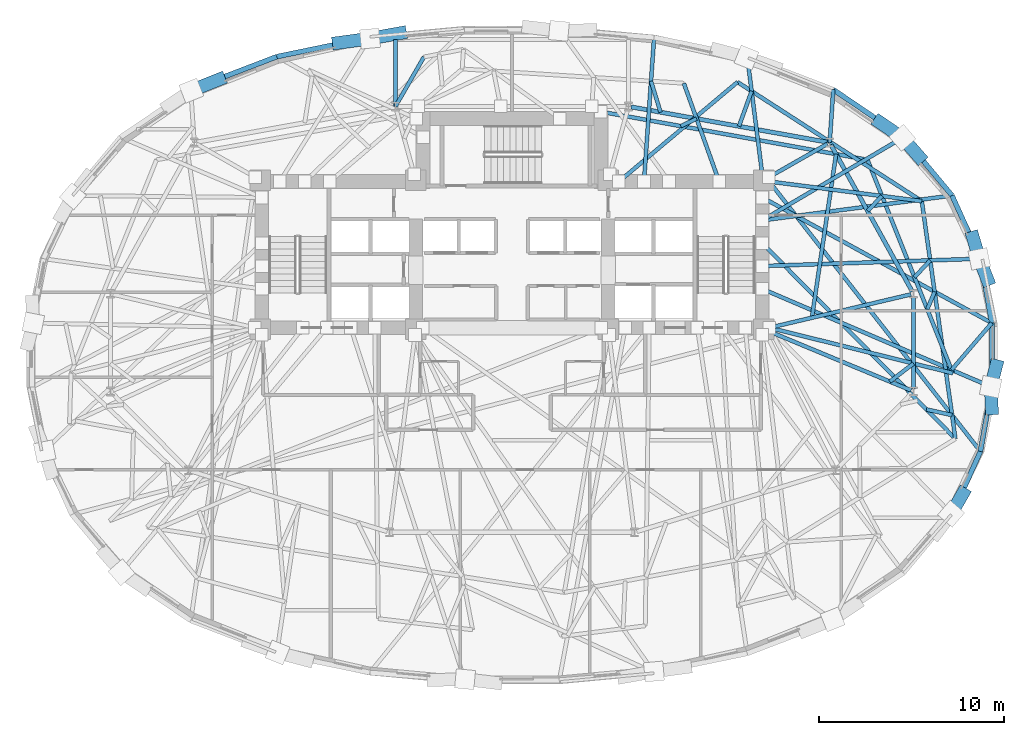
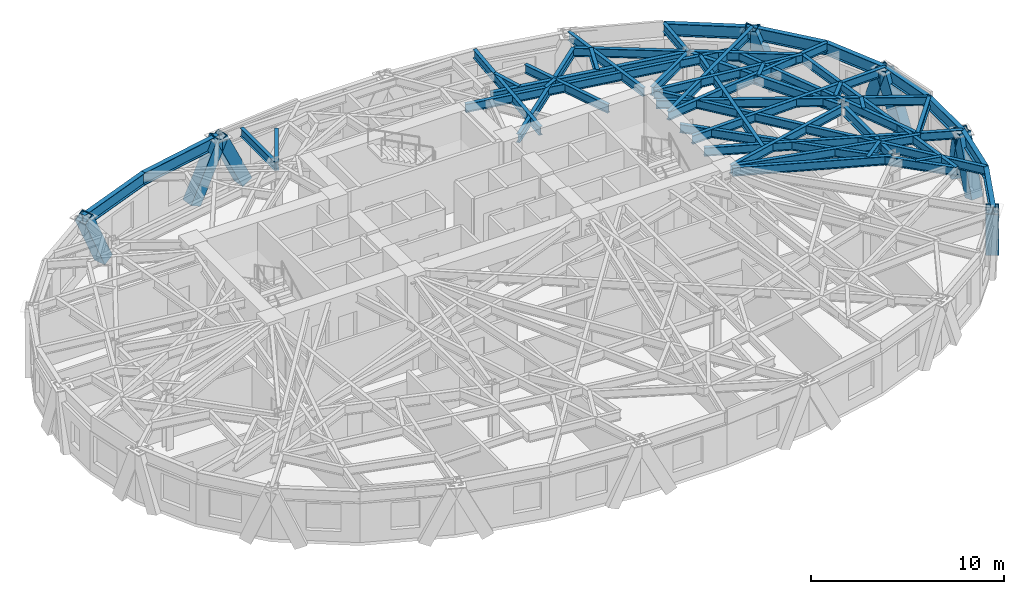
# One storey, part 4 of 14: 45 beams, 10 members.
"""IFC4 building model written with IfcOpenShell, lengths in metres."""

from ifc_helpers import new_model, si_unit, direction, frame, origin, origin_2d, place, context, subcontext, project, spatial, hollow_rectangle, i_section, extrude, material, material_profile, profile_set, type_object, element, save


model = new_model("IFC4")

# Units and contexts
model_context = context("Model", 3, precision=1e-05, world=origin(), true_north=direction((0.0, 1.0)))
body_context = subcontext(model_context, "Body", "Model", "MODEL_VIEW")
ifc_project = project(units=[si_unit("LENGTHUNIT", "METRE"), si_unit("AREAUNIT", "SQUARE_METRE"), si_unit("VOLUMEUNIT", "CUBIC_METRE"), si_unit("PLANEANGLEUNIT", "RADIAN"), si_unit("MASSUNIT", "GRAM", prefix="KILO")], contexts=[model_context])

# Site, building, storey
site_placement = place(None, origin())
site = spatial("IfcSite", under=ifc_project, at=site_placement, CompositionType="ELEMENT")
building_placement = place(site_placement, origin())
building = spatial("IfcBuilding", under=site, at=building_placement, Name="Keldmark Tower", CompositionType="ELEMENT")
storey_placement = place(building_placement, frame((0.0, 0.0, 121.10009765625)))
storey = spatial("IfcBuildingStorey", under=building, at=storey_placement, Name="L32", CompositionType="ELEMENT", Elevation=121.10009765625)

# Members
ifc_material_1 = material(Name="Steel ASTM A572 Grade 50", Category="steel")
ifc_material_profile_1 = material_profile(ifc_material_1, hollow_rectangle(XDim=0.699951171875, YDim=0.699951171875, WallThickness=0.044921875, at=origin_2d()), Name="BOX700X700X45")
ifc_profile_set_1 = profile_set([ifc_material_profile_1], Name="Steel ASTM A572 Grade 50")
member_type = type_object("IfcMemberType", Name="Diagrid Zone 2 Brace BOX700X700X45", PredefinedType="BRACE", material=ifc_profile_set_1)
member_1_placement = place(storey_placement, frame((25.69091796875, 4.075927734375, -0.27001953125), z_axis=(-0.119528292581, 0.30681593497, 0.944233535372), x_axis=(-0.931788058352, -0.363002774524, 0.0)))
element("IfcMember", 1, at=member_1_placement, inside=storey, type_object=member_type, Name="L32 Perimeter Diagrid Brace 01A", PredefinedType="BRACE", context=body_context, shape_type="SweptSolid", body=[
    extrude(hollow_rectangle(XDim=0.699951171875, YDim=0.699951171875, WallThickness=0.044921875, at=origin_2d()), origin(), (0.0, 0.0, 1.0), 3.664306640625),
])
member_2_placement = place(storey_placement, frame((24.9072265625, 6.363525390625, -0.27001953125), z_axis=(0.094848889854, -0.320065117797, 0.942635671117), x_axis=(0.958786051377, 0.284129033513, 0.0)))
element("IfcMember", 2, at=member_2_placement, inside=storey, type_object=member_type, Name="L32 Perimeter Diagrid Brace 01B", PredefinedType="BRACE", context=body_context, shape_type="SweptSolid", body=[
    extrude(hollow_rectangle(XDim=0.699951171875, YDim=0.699951171875, WallThickness=0.044921875, at=origin_2d()), origin(), (0.0, 0.0, 1.0), 3.67041015625),
])
member_3_placement = place(storey_placement, frame((22.008544921875, 10.703369140625, -0.27001953125), z_axis=(-0.243824631969, 0.278759720366, 0.928893194693), x_axis=(-0.752697279292, -0.658366771448, 0.0)))
element("IfcMember", 3, at=member_3_placement, inside=storey, type_object=member_type, Name="L32 Perimeter Diagrid Brace 02A", PredefinedType="BRACE", context=body_context, shape_type="SweptSolid", body=[
    extrude(hollow_rectangle(XDim=0.699951171875, YDim=0.699951171875, WallThickness=0.044921875, at=origin_2d()), origin(), (0.0, 0.0, 1.0), 3.724853515625),
])
member_4_placement = place(storey_placement, frame((19.84814453125, 12.592529296875, -0.27001953125), z_axis=(0.332918575116, -0.227606279536, 0.915074097469), x_axis=(0.564379672586, 0.825515345207, 0.0)))
element("IfcMember", 4, at=member_4_placement, inside=storey, type_object=member_type, Name="L32 Perimeter Diagrid Brace 02B", PredefinedType="BRACE", context=body_context, shape_type="SweptSolid", body=[
    extrude(hollow_rectangle(XDim=0.699951171875, YDim=0.699951171875, WallThickness=0.044921875, at=origin_2d()), origin(), (0.0, 0.0, 1.0), 3.781005859375),
])
member_5_placement = place(storey_placement, frame((-6.014892578125, 17.398681640625, -0.27001953125), z_axis=(-0.430797777075, -0.077023343353, 0.899155537071), x_axis=(0.176001378924, -0.98438992001, 0.0)))
element("IfcMember", 5, at=member_5_placement, inside=storey, type_object=member_type, Name="L32 Perimeter Diagrid Brace 05A", PredefinedType="BRACE", context=body_context, shape_type="SweptSolid", body=[
    extrude(hollow_rectangle(XDim=0.699951171875, YDim=0.699951171875, WallThickness=0.044921875, at=origin_2d()), origin(), (0.0, 0.0, 1.0), 3.847900390625),
])
member_6_placement = place(storey_placement, frame((-9.39453125, 16.8681640625, -0.27001953125), z_axis=(0.447087134111, 0.060954978284, 0.892411107693), x_axis=(-0.135088294439, 0.990833564584, 0.0)))
element("IfcMember", 6, at=member_6_placement, inside=storey, type_object=member_type, Name="L32 Perimeter Diagrid Brace 05B", PredefinedType="BRACE", context=body_context, shape_type="SweptSolid", body=[
    extrude(hollow_rectangle(XDim=0.699951171875, YDim=0.699951171875, WallThickness=0.044921875, at=origin_2d()), origin(), (0.0, 0.0, 1.0), 3.877197265625),
])
member_7_placement = place(storey_placement, frame((-15.800537109375, 14.904296875, -0.27001953125), z_axis=(-0.399454820791, -0.160495240496, 0.90259466203), x_axis=(0.372818660827, -0.927904222503, 0.0)))
element("IfcMember", 7, at=member_7_placement, inside=storey, type_object=member_type, Name="L32 Perimeter Diagrid Brace 06A", PredefinedType="BRACE", context=body_context, shape_type="SweptSolid", body=[
    extrude(hollow_rectangle(XDim=0.699951171875, YDim=0.699951171875, WallThickness=0.044921875, at=origin_2d()), origin(), (0.0, 0.0, 1.0), 3.833251953125),
])
member_8_placement = place(storey_placement, frame((24.362060546875, -7.486572265625, -0.27001953125), z_axis=(-0.172250116785, -0.299136400429, 0.938534661697), x_axis=(0.866597316493, -0.499008107195, 0.0)))
element("IfcMember", 8, at=member_8_placement, inside=storey, type_object=member_type, Name="L32 Perimeter Diagrid Brace 15B", PredefinedType="BRACE", context=body_context, shape_type="SweptSolid", body=[
    extrude(hollow_rectangle(XDim=0.699951171875, YDim=0.699951171875, WallThickness=0.044921875, at=origin_2d()), origin(), (0.0, 0.0, 1.0), 3.6865234375),
])
member_9_placement = place(storey_placement, frame((25.9296875, -2.899169921875, -0.27001953125), z_axis=(-0.016952892243, 0.324040519048, 0.945891294737), x_axis=(-0.998634258336, -0.052245746986, 0.0)))
element("IfcMember", 9, at=member_9_placement, inside=storey, type_object=member_type, Name="L32 Perimeter Diagrid Brace 16A", PredefinedType="BRACE", context=body_context, shape_type="SweptSolid", body=[
    extrude(hollow_rectangle(XDim=0.699951171875, YDim=0.699951171875, WallThickness=0.044921875, at=origin_2d()), origin(), (0.0, 0.0, 1.0), 3.657958984375),
])
member_10_placement = place(storey_placement, frame((26.163818359375, -0.577880859375, -0.27001953125), z_axis=(-0.081570259972, -0.313731769122, 0.946001411062), x_axis=(0.967822506788, -0.251633851765, 0.0)))
element("IfcMember", 10, at=member_10_placement, inside=storey, type_object=member_type, Name="L32 Perimeter Diagrid Brace 16B", PredefinedType="BRACE", context=body_context, shape_type="SweptSolid", body=[
    extrude(hollow_rectangle(XDim=0.699951171875, YDim=0.699951171875, WallThickness=0.044921875, at=origin_2d()), origin(), (0.0, 0.0, 1.0), 3.657470703125),
])

# Beams
ifc_material_2 = material(Name="Steel ASTM A992 Grade 50", Category="steel")
ifc_material_profile_2 = material_profile(ifc_material_2, i_section(OverallWidth=0.22900390625, OverallDepth=0.612060546875, WebThickness=0.011962890625, FlangeThickness=0.01953125, at=origin_2d()), Name="W24X84")
ifc_profile_set_2 = profile_set([ifc_material_profile_2], Name="Steel ASTM A992 Grade 50")
beam_type_1 = type_object("IfcBeamType", Name="Primary Floor Girder W24X84", PredefinedType="BEAM", material=ifc_profile_set_2)
beam_1_placement = place(storey_placement, frame((21.62890625, 3.432373046875, 3.00390625), z_axis=(-0.484951836703, 0.874540860154, 0.0), x_axis=(-0.874540860154, -0.484951836703, 0.0)))
element("IfcBeam", 11, at=beam_1_placement, inside=storey, type_object=beam_type_1, Name="L32 Floor Ring Girder FG-R01", PredefinedType="BEAM", context=body_context, shape_type="SweptSolid", body=[
    extrude(i_section(OverallWidth=0.22900390625, OverallDepth=0.612060546875, WebThickness=0.011962890625, FlangeThickness=0.01953125, at=origin_2d()), origin(), (0.0, 0.0, 1.0), 9.060302734375),
])
beam_2_placement = place(storey_placement, frame((17.029296875, 11.503173828125, 3.00390625), z_axis=(-0.984218266992, 0.176958760505, 0.0), x_axis=(-0.176958760505, -0.984218266992, 0.0)))
element("IfcBeam", 12, at=beam_2_placement, inside=storey, type_object=beam_type_1, Name="L32 Floor Ring Girder FG-R02", PredefinedType="BEAM", context=body_context, shape_type="SweptSolid", body=[
    extrude(i_section(OverallWidth=0.22900390625, OverallDepth=0.612060546875, WebThickness=0.011962890625, FlangeThickness=0.01953125, at=origin_2d()), origin(), (0.0, 0.0, 1.0), 10.7626953125),
])
beam_3_placement = place(storey_placement, frame((21.697021484375, -1.825927734375, 3.00390625), z_axis=(0.0, 1.0, 0.0), x_axis=(-1.0, 0.0, 0.0)))
element("IfcBeam", 13, at=beam_3_placement, inside=storey, type_object=beam_type_1, Name="L32 Floor Ring Girder FG-R12", PredefinedType="BEAM", context=body_context, shape_type="SweptSolid", body=[
    extrude(i_section(OverallWidth=0.22900390625, OverallDepth=0.612060546875, WebThickness=0.011962890625, FlangeThickness=0.01953125, at=origin_2d()), origin(), (0.0, 0.0, 1.0), 4.995849609375),
])
ifc_material_3 = material(Name="Steel ASTM A992 Grade 50", Category="steel")
ifc_material_profile_3 = material_profile(ifc_material_3, i_section(OverallWidth=0.2099609375, OverallDepth=0.537109375, WebThickness=0.010986328125, FlangeThickness=0.017333984375, at=origin_2d()), Name="W21X68")
ifc_profile_set_3 = profile_set([ifc_material_profile_3], Name="Steel ASTM A992 Grade 50")
beam_type_2 = type_object("IfcBeamType", Name="Radial Tie Girder W21X68", PredefinedType="BEAM", material=ifc_profile_set_3)
beam_4_placement = place(storey_placement, frame((21.560546875, 3.27783203125, 3.04150390625), z_axis=(-0.973283778272, -0.229605502879, 0.0), x_axis=(0.229605502879, -0.973283778272, 0.0)))
element("IfcBeam", 14, at=beam_4_placement, inside=storey, type_object=beam_type_2, Name="L32 Floor Radial Girder FG-C01", PredefinedType="BEAM", context=body_context, shape_type="SweptSolid", body=[
    extrude(i_section(OverallWidth=0.2099609375, OverallDepth=0.537109375, WebThickness=0.010986328125, FlangeThickness=0.017333984375, at=origin_2d()), origin(), (0.0, 0.0, 1.0), 7.85888671875),
])
beam_5_placement = place(storey_placement, frame((17.04541015625, 11.4091796875, 3.04150390625), z_axis=(-0.86928447329, -0.494312152892, 0.0), x_axis=(0.494312152892, -0.86928447329, 0.0)))
element("IfcBeam", 15, at=beam_5_placement, inside=storey, type_object=beam_type_2, Name="L32 Floor Radial Girder FG-C02", PredefinedType="BEAM", context=body_context, shape_type="SweptSolid", body=[
    extrude(i_section(OverallWidth=0.2099609375, OverallDepth=0.537109375, WebThickness=0.010986328125, FlangeThickness=0.017333984375, at=origin_2d()), origin(), (0.0, 0.0, 1.0), 3.6435546875),
])
beam_6_placement = place(storey_placement, frame((21.567626953125, -1.912109375, 3.04150390625), z_axis=(-0.923397393633, 0.383845350932, 0.0), x_axis=(-0.383845350932, -0.923397393633, 0.0)))
element("IfcBeam", 16, at=beam_6_placement, inside=storey, type_object=beam_type_2, Name="L32 Floor Radial Girder FG-C12", PredefinedType="BEAM", context=body_context, shape_type="SweptSolid", body=[
    extrude(i_section(OverallWidth=0.2099609375, OverallDepth=0.537109375, WebThickness=0.010986328125, FlangeThickness=0.017333984375, at=origin_2d()), origin(), (0.0, 0.0, 1.0), 8.30859375),
])
beam_7_placement = place(storey_placement, frame((16.206298828125, 2.014892578125, 3.04150390625), z_axis=(0.146189237766, 0.989256643527, 0.0), x_axis=(-0.989256643527, 0.146189237766, 0.0)))
element("IfcBeam", 17, at=beam_7_placement, inside=storey, type_object=beam_type_2, Name="L32 Framing Pin Header PH-001", PredefinedType="BEAM", context=body_context, shape_type="SweptSolid", body=[
    extrude(i_section(OverallWidth=0.2099609375, OverallDepth=0.537109375, WebThickness=0.010986328125, FlangeThickness=0.017333984375, at=origin_2d()), origin(), (0.0, 0.0, 1.0), 8.936279296875),
])
beam_8_placement = place(storey_placement, frame((4.800048828125, 13.14990234375, 3.04150390625), z_axis=(0.984095025562, -0.177642845799, 0.0), x_axis=(0.177642845799, 0.984095025562, 0.0)))
element("IfcBeam", 18, at=beam_8_placement, inside=storey, type_object=beam_type_2, Name="L32 Sub-Ring Step Girder STP1-M01", PredefinedType="BEAM", context=body_context, shape_type="SweptSolid", body=[
    extrude(i_section(OverallWidth=0.2099609375, OverallDepth=0.537109375, WebThickness=0.010986328125, FlangeThickness=0.017333984375, at=origin_2d()), origin(), (0.0, 0.0, 1.0), 14.646240234375),
])
beam_9_placement = place(storey_placement, frame((9.1240234375, 12.369384765625, 3.04150390625), z_axis=(0.903637268317, 0.428298595969, 0.0), x_axis=(-0.428298595969, 0.903637268317, 0.0)))
element("IfcBeam", 19, at=beam_9_placement, inside=storey, type_object=beam_type_2, Name="L32 Framing Pin Header PH-002", PredefinedType="BEAM", context=body_context, shape_type="SweptSolid", body=[
    extrude(i_section(OverallWidth=0.2099609375, OverallDepth=0.537109375, WebThickness=0.010986328125, FlangeThickness=0.017333984375, at=origin_2d()), origin(), (0.0, 0.0, 1.0), 0.939453125),
])
beam_10_placement = place(storey_placement, frame((11.19287109375, 9.375, 3.04150390625), z_axis=(-0.337988574629, 0.941150212995, 0.0), x_axis=(-0.941150212995, -0.337988574629, 0.0)))
element("IfcBeam", 20, at=beam_10_placement, inside=storey, type_object=beam_type_2, Name="L32 Sub-Ring Step Girder STP1-M02", PredefinedType="BEAM", context=body_context, shape_type="SweptSolid", body=[
    extrude(i_section(OverallWidth=0.2099609375, OverallDepth=0.537109375, WebThickness=0.010986328125, FlangeThickness=0.017333984375, at=origin_2d()), origin(), (0.0, 0.0, 1.0), 5.642822265625),
])
beam_11_placement = place(storey_placement, frame((20.416748046875, -1.433837890625, 3.04150390625), z_axis=(0.794878137601, 0.606769104656, 0.0), x_axis=(-0.606769104656, 0.794878137601, 0.0)))
element("IfcBeam", 21, at=beam_11_placement, inside=storey, type_object=beam_type_2, Name="L32 Framing Pin Header PH-007", PredefinedType="BEAM", context=body_context, shape_type="SweptSolid", body=[
    extrude(i_section(OverallWidth=0.2099609375, OverallDepth=0.537109375, WebThickness=0.010986328125, FlangeThickness=0.017333984375, at=origin_2d()), origin(), (0.0, 0.0, 1.0), 1.610595703125),
])
beam_12_placement = place(storey_placement, frame((13.89990234375, 1.47509765625, 3.04150390625), z_axis=(0.970654357168, -0.240478936523, 0.0), x_axis=(0.240478936523, 0.970654357168, 0.0)))
element("IfcBeam", 22, at=beam_12_placement, inside=storey, type_object=beam_type_2, Name="L32 Sub-Ring Step Girder STP1-M12", PredefinedType="BEAM", context=body_context, shape_type="SweptSolid", body=[
    extrude(i_section(OverallWidth=0.2099609375, OverallDepth=0.537109375, WebThickness=0.010986328125, FlangeThickness=0.017333984375, at=origin_2d()), origin(), (0.0, 0.0, 1.0), 10.225341796875),
])
beam_13_placement = place(storey_placement, frame((23.8251953125, -0.98388671875, 3.04150390625), z_axis=(-0.371322892211, 0.928503801672, 0.0), x_axis=(-0.928503801672, -0.371322892211, 0.0)))
element("IfcBeam", 23, at=beam_13_placement, inside=storey, type_object=beam_type_2, Name="L32 Perimeter Collector Ring Beam CRG1-M12", PredefinedType="BEAM", context=body_context, shape_type="SweptSolid", body=[
    extrude(i_section(OverallWidth=0.2099609375, OverallDepth=0.537109375, WebThickness=0.010986328125, FlangeThickness=0.017333984375, at=origin_2d()), origin(), (0.0, 0.0, 1.0), 12.419921875),
])
beam_14_placement = place(storey_placement, frame((19.21240234375, 7.790283203125, 3.04150390625), z_axis=(0.699110206743, 0.715013929115, 0.0), x_axis=(-0.715013929115, 0.699110206743, 0.0)))
element("IfcBeam", 24, at=beam_14_placement, inside=storey, type_object=beam_type_2, Name="L32 Framing Pin Header PH-008", PredefinedType="BEAM", context=body_context, shape_type="SweptSolid", body=[
    extrude(i_section(OverallWidth=0.2099609375, OverallDepth=0.537109375, WebThickness=0.010986328125, FlangeThickness=0.017333984375, at=origin_2d()), origin(), (0.0, 0.0, 1.0), 1.12060546875),
])
beam_15_placement = place(storey_placement, frame((13.89990234375, 9.375, 3.04150390625), z_axis=(0.991842195539, -0.127471797466, 0.0), x_axis=(0.127471797466, 0.991842195539, 0.0)))
element("IfcBeam", 25, at=beam_15_placement, inside=storey, type_object=beam_type_2, Name="L32 Sub-Ring Step Girder STP2-M01", PredefinedType="BEAM", context=body_context, shape_type="SweptSolid", body=[
    extrude(i_section(OverallWidth=0.2099609375, OverallDepth=0.537109375, WebThickness=0.010986328125, FlangeThickness=0.017333984375, at=origin_2d()), origin(), (0.0, 0.0, 1.0), 8.312255859375),
])
beam_16_placement = place(storey_placement, frame((5.778564453125, 9.375, 3.04150390625), z_axis=(0.76609231621, 0.642730552443, 0.0), x_axis=(-0.642730552443, 0.76609231621, 0.0)))
element("IfcBeam", 26, at=beam_16_placement, inside=storey, type_object=beam_type_2, Name="L32 Sub-Ring Step Girder STP2-M02", PredefinedType="BEAM", context=body_context, shape_type="SweptSolid", body=[
    extrude(i_section(OverallWidth=0.2099609375, OverallDepth=0.537109375, WebThickness=0.010986328125, FlangeThickness=0.017333984375, at=origin_2d()), origin(), (0.0, 0.0, 1.0), 8.363525390625),
])
beam_17_placement = place(storey_placement, frame((13.52490234375, 6.04296875, 3.04150390625), z_axis=(0.702646192313, -0.711539407502, 0.0), x_axis=(0.711539407502, 0.702646192313, 0.0)))
element("IfcBeam", 27, at=beam_17_placement, inside=storey, type_object=beam_type_2, Name="L32 Sub-Ring Step Girder STP2-M12", PredefinedType="BEAM", context=body_context, shape_type="SweptSolid", body=[
    extrude(i_section(OverallWidth=0.2099609375, OverallDepth=0.537109375, WebThickness=0.010986328125, FlangeThickness=0.017333984375, at=origin_2d()), origin(), (0.0, 0.0, 1.0), 14.851806640625),
])
beam_18_placement = place(storey_placement, frame((22.144287109375, 8.3154296875, 3.04150390625), z_axis=(-0.839903672149, 0.542735498664, 0.0), x_axis=(-0.542735498664, -0.839903672149, 0.0)))
element("IfcBeam", 28, at=beam_18_placement, inside=storey, type_object=beam_type_2, Name="L32 Perimeter Collector Ring Beam CRG2-M01", PredefinedType="BEAM", context=body_context, shape_type="SweptSolid", body=[
    extrude(i_section(OverallWidth=0.2099609375, OverallDepth=0.537109375, WebThickness=0.010986328125, FlangeThickness=0.017333984375, at=origin_2d()), origin(), (0.0, 0.0, 1.0), 11.856689453125),
])
beam_19_placement = place(storey_placement, frame((23.96044921875, -4.524658203125, 3.04150390625), z_axis=(-0.140050648417, 0.990144340931, 0.0), x_axis=(-0.990144340931, -0.140050648417, 0.0)))
element("IfcBeam", 29, at=beam_19_placement, inside=storey, type_object=beam_type_2, Name="L32 Perimeter Collector Ring Beam CRG2-M12", PredefinedType="BEAM", context=body_context, shape_type="SweptSolid", body=[
    extrude(i_section(OverallWidth=0.2099609375, OverallDepth=0.537109375, WebThickness=0.010986328125, FlangeThickness=0.017333984375, at=origin_2d()), origin(), (0.0, 0.0, 1.0), 12.9677734375),
])
beam_20_placement = place(storey_placement, frame((22.441650390625, 2.4755859375, 3.04150390625), z_axis=(0.385647516502, 0.922646190593, 0.0), x_axis=(-0.922646190593, 0.385647516502, 0.0)))
element("IfcBeam", 30, at=beam_20_placement, inside=storey, type_object=beam_type_2, Name="L32 Framing Pin Header PH-013", PredefinedType="BEAM", context=body_context, shape_type="SweptSolid", body=[
    extrude(i_section(OverallWidth=0.2099609375, OverallDepth=0.537109375, WebThickness=0.010986328125, FlangeThickness=0.017333984375, at=origin_2d()), origin(), (0.0, 0.0, 1.0), 1.0244140625),
])
beam_21_placement = place(storey_placement, frame((13.52490234375, 8.514404296875, 3.04150390625), z_axis=(0.87731534762, -0.47991434739, 0.0), x_axis=(0.47991434739, 0.87731534762, 0.0)))
element("IfcBeam", 31, at=beam_21_placement, inside=storey, type_object=beam_type_2, Name="L32 Perimeter Radial Tie Girder RT-01", PredefinedType="BEAM", context=body_context, shape_type="SweptSolid", body=[
    extrude(i_section(OverallWidth=0.2099609375, OverallDepth=0.537109375, WebThickness=0.010986328125, FlangeThickness=0.017333984375, at=origin_2d()), origin(), (0.0, 0.0, 1.0), 14.13427734375),
])
beam_22_placement = place(storey_placement, frame((21.749755859375, 4.20556640625, 3.04150390625), z_axis=(0.682115170645, 0.731244756546, 0.0), x_axis=(-0.731244756546, 0.682115170645, 0.0)))
element("IfcBeam", 32, at=beam_22_placement, inside=storey, type_object=beam_type_2, Name="L32 Framing Pin Header PH-014", PredefinedType="BEAM", context=body_context, shape_type="SweptSolid", body=[
    extrude(i_section(OverallWidth=0.2099609375, OverallDepth=0.537109375, WebThickness=0.010986328125, FlangeThickness=0.017333984375, at=origin_2d()), origin(), (0.0, 0.0, 1.0), 1.242431640625),
])
beam_23_placement = place(storey_placement, frame((13.52490234375, 4.80712890625, 3.04150390625), z_axis=(0.999427846227, 0.033822776148, 0.0), x_axis=(-0.033822776148, 0.999427846227, 0.0)))
element("IfcBeam", 33, at=beam_23_placement, inside=storey, type_object=beam_type_2, Name="L32 Perimeter Radial Tie Girder RT-02", PredefinedType="BEAM", context=body_context, shape_type="SweptSolid", body=[
    extrude(i_section(OverallWidth=0.2099609375, OverallDepth=0.537109375, WebThickness=0.010986328125, FlangeThickness=0.017333984375, at=origin_2d()), origin(), (0.0, 0.0, 1.0), 11.794677734375),
])
beam_24_placement = place(storey_placement, frame((13.52490234375, 7.278564453125, 3.04150390625), z_axis=(0.991581576645, 0.129483500331, 0.0), x_axis=(-0.129483500331, 0.991581576645, 0.0)))
element("IfcBeam", 34, at=beam_24_placement, inside=storey, type_object=beam_type_2, Name="L32 Perimeter Radial Tie Girder RT-03", PredefinedType="BEAM", context=body_context, shape_type="SweptSolid", body=[
    extrude(i_section(OverallWidth=0.2099609375, OverallDepth=0.537109375, WebThickness=0.010986328125, FlangeThickness=0.017333984375, at=origin_2d()), origin(), (0.0, 0.0, 1.0), 10.342041015625),
])
beam_25_placement = place(storey_placement, frame((13.52490234375, 7.278564453125, 3.04150390625), z_axis=(0.861729252945, 0.507368401281, 0.0), x_axis=(-0.507368401281, 0.861729252945, 0.0)))
element("IfcBeam", 35, at=beam_25_placement, inside=storey, type_object=beam_type_2, Name="L32 Perimeter Radial Tie Girder RT-04", PredefinedType="BEAM", context=body_context, shape_type="SweptSolid", body=[
    extrude(i_section(OverallWidth=0.2099609375, OverallDepth=0.537109375, WebThickness=0.010986328125, FlangeThickness=0.017333984375, at=origin_2d()), origin(), (0.0, 0.0, 1.0), 8.8525390625),
])
beam_26_placement = place(storey_placement, frame((17.1669921875, 11.478271484375, 3.04150390625), z_axis=(0.067286839029, 0.997733672527, 0.0), x_axis=(-0.997733672527, 0.067286839029, 0.0)))
element("IfcBeam", 36, at=beam_26_placement, inside=storey, type_object=beam_type_2, Name="L32 Perimeter Column Bracket RT-05", PredefinedType="BEAM", context=body_context, shape_type="SweptSolid", body=[
    extrude(i_section(OverallWidth=0.2099609375, OverallDepth=0.537109375, WebThickness=0.010986328125, FlangeThickness=0.017333984375, at=origin_2d()), origin(), (0.0, 0.0, 1.0), 2.8701171875),
])
beam_27_placement = place(storey_placement, frame((12.2626953125, 12.360107421875, 3.04150390625), z_axis=(0.340158849632, 0.940367990213, 0.0), x_axis=(-0.940367990213, 0.340158849632, 0.0)))
element("IfcBeam", 37, at=beam_27_placement, inside=storey, type_object=beam_type_2, Name="L32 Framing Pin Header PH-015", PredefinedType="BEAM", context=body_context, shape_type="SweptSolid", body=[
    extrude(i_section(OverallWidth=0.2099609375, OverallDepth=0.537109375, WebThickness=0.010986328125, FlangeThickness=0.017333984375, at=origin_2d()), origin(), (0.0, 0.0, 1.0), 2.017578125),
])
beam_28_placement = place(storey_placement, frame((13.52490234375, 9.75, 3.04150390625), z_axis=(-0.12673292273, 0.991936876165, 0.0), x_axis=(-0.991936876165, -0.12673292273, 0.0)))
element("IfcBeam", 38, at=beam_28_placement, inside=storey, type_object=beam_type_2, Name="L32 Perimeter Radial Tie Girder RT-06", PredefinedType="BEAM", context=body_context, shape_type="SweptSolid", body=[
    extrude(i_section(OverallWidth=0.2099609375, OverallDepth=0.537109375, WebThickness=0.010986328125, FlangeThickness=0.017333984375, at=origin_2d()), origin(), (0.0, 0.0, 1.0), 6.424560546875),
])
beam_29_placement = place(storey_placement, frame((8.025390625, 13.1220703125, 3.04150390625), z_axis=(-0.292207930192, 0.956354811528, 0.0), x_axis=(-0.956354811528, -0.292207930192, 0.0)))
element("IfcBeam", 39, at=beam_29_placement, inside=storey, type_object=beam_type_2, Name="L32 Framing Pin Header PH-016", PredefinedType="BEAM", context=body_context, shape_type="SweptSolid", body=[
    extrude(i_section(OverallWidth=0.2099609375, OverallDepth=0.537109375, WebThickness=0.010986328125, FlangeThickness=0.017333984375, at=origin_2d()), origin(), (0.0, 0.0, 1.0), 1.754638671875),
])
beam_30_placement = place(storey_placement, frame((7.132080078125, 9.375, 3.04150390625), z_axis=(0.069995637304, 0.997547297504, 0.0), x_axis=(-0.997547297504, 0.069995637304, 0.0)))
element("IfcBeam", 40, at=beam_30_placement, inside=storey, type_object=beam_type_2, Name="L32 Perimeter Radial Tie Girder RT-07", PredefinedType="BEAM", context=body_context, shape_type="SweptSolid", body=[
    extrude(i_section(OverallWidth=0.2099609375, OverallDepth=0.537109375, WebThickness=0.010986328125, FlangeThickness=0.017333984375, at=origin_2d()), origin(), (0.0, 0.0, 1.0), 7.805908203125),
])
beam_31_placement = place(storey_placement, frame((22.39501953125, -2.939697265625, 3.04150390625), z_axis=(0.976166808549, -0.217021570095, 0.0), x_axis=(0.217021570095, 0.976166808549, 0.0)))
element("IfcBeam", 41, at=beam_31_placement, inside=storey, type_object=beam_type_2, Name="L32 Framing Pin Header PH-044", PredefinedType="BEAM", context=body_context, shape_type="SweptSolid", body=[
    extrude(i_section(OverallWidth=0.2099609375, OverallDepth=0.537109375, WebThickness=0.010986328125, FlangeThickness=0.017333984375, at=origin_2d()), origin(), (0.0, 0.0, 1.0), 1.41845703125),
])
beam_32_placement = place(storey_placement, frame((13.89990234375, 9.375, 3.04150390625), z_axis=(0.616361232297, -0.787463542852, 0.0), x_axis=(0.787463542852, 0.616361232297, 0.0)))
element("IfcBeam", 42, at=beam_32_placement, inside=storey, type_object=beam_type_2, Name="L32 Perimeter Radial Tie Girder RT-31", PredefinedType="BEAM", context=body_context, shape_type="SweptSolid", body=[
    extrude(i_section(OverallWidth=0.2099609375, OverallDepth=0.537109375, WebThickness=0.010986328125, FlangeThickness=0.017333984375, at=origin_2d()), origin(), (0.0, 0.0, 1.0), 18.5166015625),
])
beam_33_placement = place(storey_placement, frame((25.925048828125, 1.731201171875, 3.04150390625), z_axis=(-0.651014255705, -0.759065503674, 0.0), x_axis=(0.759065503674, -0.651014255705, 0.0)))
element("IfcBeam", 43, at=beam_33_placement, inside=storey, type_object=beam_type_2, Name="L32 Framing Pin Header PH-045", PredefinedType="BEAM", context=body_context, shape_type="SweptSolid", body=[
    extrude(i_section(OverallWidth=0.2099609375, OverallDepth=0.537109375, WebThickness=0.010986328125, FlangeThickness=0.017333984375, at=origin_2d()), origin(), (0.0, 0.0, 1.0), 3.337158203125),
])
beam_34_placement = place(storey_placement, frame((13.52490234375, 3.5712890625, 3.04150390625), z_axis=(0.919463090734, -0.393176327846, 0.0), x_axis=(0.393176327846, 0.919463090734, 0.0)))
element("IfcBeam", 44, at=beam_34_placement, inside=storey, type_object=beam_type_2, Name="L32 Perimeter Radial Tie Girder RT-32", PredefinedType="BEAM", context=body_context, shape_type="SweptSolid", body=[
    extrude(i_section(OverallWidth=0.2099609375, OverallDepth=0.537109375, WebThickness=0.010986328125, FlangeThickness=0.017333984375, at=origin_2d()), origin(), (0.0, 0.0, 1.0), 13.486328125),
])
beam_35_placement = place(storey_placement, frame((-6.298828125, 13.4326171875, 3.04150390625), z_axis=(0.0, 1.0, 0.0), x_axis=(-1.0, 0.0, 0.0)))
element("IfcBeam", 45, at=beam_35_placement, inside=storey, type_object=beam_type_2, Name="L32 North Column Cantilever Girder West FG-TCN-W", PredefinedType="BEAM", context=body_context, shape_type="SweptSolid", body=[
    extrude(i_section(OverallWidth=0.2099609375, OverallDepth=0.537109375, WebThickness=0.010986328125, FlangeThickness=0.017333984375, at=origin_2d()), origin(), (0.0, 0.0, 1.0), 3.62451171875),
])
beam_36_placement = place(storey_placement, frame((-6.298828125, 13.4326171875, 3.04150390625), z_axis=(0.499160701335, 0.866509431133, 0.0), x_axis=(-0.866509431133, 0.499160701335, 0.0)))
element("IfcBeam", 46, at=beam_36_placement, inside=storey, type_object=beam_type_2, Name="L32 Column Step Bracket RT-09RS", PredefinedType="BEAM", context=body_context, shape_type="SweptSolid", body=[
    extrude(i_section(OverallWidth=0.2099609375, OverallDepth=0.537109375, WebThickness=0.010986328125, FlangeThickness=0.017333984375, at=origin_2d()), origin(), (0.0, 0.0, 1.0), 3.085693359375),
])
ifc_material_4 = material(Name="Steel ASTM A992 Grade 50", Category="steel")
ifc_material_profile_4 = material_profile(ifc_material_4, i_section(OverallWidth=0.26806640625, OverallDepth=0.77001953125, WebThickness=0.015625, FlangeThickness=0.025390625, at=origin_2d()), Name="W30X132")
ifc_profile_set_4 = profile_set([ifc_material_profile_4], Name="Steel ASTM A992 Grade 50")
beam_type_3 = type_object("IfcBeamType", Name="Spandrel Ring Beam W30X132", PredefinedType="SPANDREL", material=ifc_profile_set_4)
beam_37_placement = place(storey_placement, frame((25.925048828125, 1.731201171875, 2.9248046875), z_axis=(-0.173536650643, 0.984827411724, 0.0), x_axis=(-0.984827411724, -0.173536650643, 0.0)))
element("IfcBeam", 47, at=beam_37_placement, inside=storey, type_object=beam_type_3, Name="L32 Perimeter Spandrel Ring Beam SRB-01", PredefinedType="SPANDREL", context=body_context, shape_type="SweptSolid", body=[
    extrude(i_section(OverallWidth=0.26806640625, OverallDepth=0.77001953125, WebThickness=0.015625, FlangeThickness=0.025390625, at=origin_2d()), origin(), (0.0, 0.0, 1.0), 3.5283203125),
])
beam_38_placement = place(storey_placement, frame((25.312744140625, 5.2060546875, 2.9248046875), z_axis=(-0.409859787314, 0.912148537653, 0.0), x_axis=(-0.912148537653, -0.409859787314, 0.0)))
element("IfcBeam", 48, at=beam_38_placement, inside=storey, type_object=beam_type_3, Name="L32 Perimeter Spandrel Ring Beam SRB-02", PredefinedType="SPANDREL", context=body_context, shape_type="SweptSolid", body=[
    extrude(i_section(OverallWidth=0.26806640625, OverallDepth=0.77001953125, WebThickness=0.015625, FlangeThickness=0.025390625, at=origin_2d()), origin(), (0.0, 0.0, 1.0), 3.740234375),
])
beam_39_placement = place(storey_placement, frame((23.77978515625, 8.61767578125, 2.9248046875), z_axis=(-0.640114166037, 0.768279802181, 0.0), x_axis=(-0.768279802181, -0.640114166037, 0.0)))
element("IfcBeam", 49, at=beam_39_placement, inside=storey, type_object=beam_type_3, Name="L32 Perimeter Spandrel Ring Beam SRB-03", PredefinedType="SPANDREL", context=body_context, shape_type="SweptSolid", body=[
    extrude(i_section(OverallWidth=0.26806640625, OverallDepth=0.77001953125, WebThickness=0.015625, FlangeThickness=0.025390625, at=origin_2d()), origin(), (0.0, 0.0, 1.0), 4.10302734375),
])
beam_40_placement = place(storey_placement, frame((21.1533203125, 11.77001953125, 2.9248046875), z_axis=(-0.827697593977, 0.561174387266, 0.0), x_axis=(-0.561174387266, -0.827697593977, 0.0)))
element("IfcBeam", 50, at=beam_40_placement, inside=storey, type_object=beam_type_3, Name="L32 Perimeter Spandrel Ring Beam SRB-04", PredefinedType="SPANDREL", context=body_context, shape_type="SweptSolid", body=[
    extrude(i_section(OverallWidth=0.26806640625, OverallDepth=0.77001953125, WebThickness=0.015625, FlangeThickness=0.025390625, at=origin_2d()), origin(), (0.0, 0.0, 1.0), 4.582763671875),
])
beam_41_placement = place(storey_placement, frame((-7.678466796875, 17.161865234375, 2.9248046875), z_axis=(-0.979340957224, -0.202215947698, 0.0), x_axis=(0.202215947698, -0.979340957224, 0.0)))
element("IfcBeam", 51, at=beam_41_placement, inside=storey, type_object=beam_type_3, Name="L32 Perimeter Spandrel Ring Beam SRB-10", PredefinedType="SPANDREL", context=body_context, shape_type="SweptSolid", body=[
    extrude(i_section(OverallWidth=0.26806640625, OverallDepth=0.77001953125, WebThickness=0.015625, FlangeThickness=0.025390625, at=origin_2d()), origin(), (0.0, 0.0, 1.0), 5.138427734375),
])
beam_42_placement = place(storey_placement, frame((-12.710693359375, 16.122802734375, 2.9248046875), z_axis=(-0.933831312068, -0.357713685231, 0.0), x_axis=(0.357713685231, -0.933831312068, 0.0)))
element("IfcBeam", 52, at=beam_42_placement, inside=storey, type_object=beam_type_3, Name="L32 Perimeter Spandrel Ring Beam SRB-11", PredefinedType="SPANDREL", context=body_context, shape_type="SweptSolid", body=[
    extrude(i_section(OverallWidth=0.26806640625, OverallDepth=0.77001953125, WebThickness=0.015625, FlangeThickness=0.025390625, at=origin_2d()), origin(), (0.0, 0.0, 1.0), 4.978759765625),
])
beam_43_placement = place(storey_placement, frame((23.77978515625, -8.61767578125, 2.9248046875), z_axis=(0.409859787314, 0.912148537653, 0.0), x_axis=(-0.912148537653, 0.409859787314, 0.0)))
element("IfcBeam", 53, at=beam_43_placement, inside=storey, type_object=beam_type_3, Name="L32 Perimeter Spandrel Ring Beam SRB-30", PredefinedType="SPANDREL", context=body_context, shape_type="SweptSolid", body=[
    extrude(i_section(OverallWidth=0.26806640625, OverallDepth=0.77001953125, WebThickness=0.015625, FlangeThickness=0.025390625, at=origin_2d()), origin(), (0.0, 0.0, 1.0), 3.740234375),
])
beam_44_placement = place(storey_placement, frame((25.312744140625, -5.2060546875, 2.9248046875), z_axis=(0.173536650643, 0.984827411724, 0.0), x_axis=(-0.984827411724, 0.173536650643, 0.0)))
element("IfcBeam", 54, at=beam_44_placement, inside=storey, type_object=beam_type_3, Name="L32 Perimeter Spandrel Ring Beam SRB-31", PredefinedType="SPANDREL", context=body_context, shape_type="SweptSolid", body=[
    extrude(i_section(OverallWidth=0.26806640625, OverallDepth=0.77001953125, WebThickness=0.015625, FlangeThickness=0.025390625, at=origin_2d()), origin(), (0.0, 0.0, 1.0), 3.5283203125),
])
beam_45_placement = place(storey_placement, frame((25.925048828125, -1.731201171875, 2.9248046875), z_axis=(0.0, 1.0, 0.0), x_axis=(-1.0, 0.0, 0.0)))
element("IfcBeam", 55, at=beam_45_placement, inside=storey, type_object=beam_type_3, Name="L32 Perimeter Spandrel Ring Beam SRB-32", PredefinedType="SPANDREL", context=body_context, shape_type="SweptSolid", body=[
    extrude(i_section(OverallWidth=0.26806640625, OverallDepth=0.77001953125, WebThickness=0.015625, FlangeThickness=0.025390625, at=origin_2d()), origin(), (0.0, 0.0, 1.0), 3.46240234375),
])

save(model, "model.ifc")
